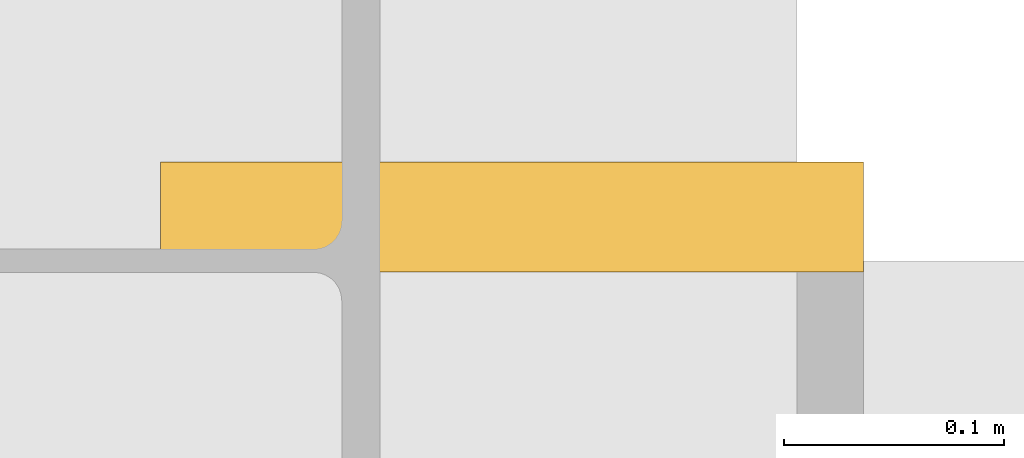
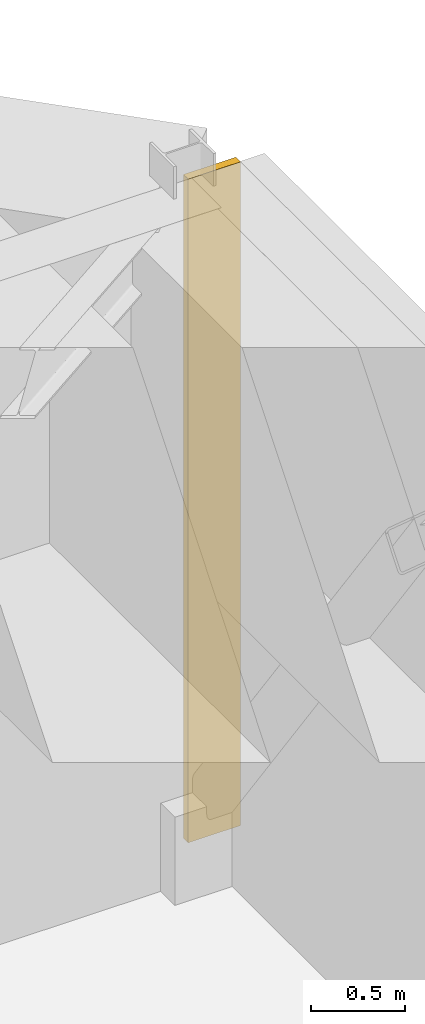
# One storey, part 17 of 17: 1 covering.
"""IFC4 building model written with IfcOpenShell, lengths in metres."""

import ifcopenshell
import ifcopenshell.guid

model = None  # the IFC model being written
_history = None  # IfcOwnerHistory: only IFC2X3 demands one
_inside = {}  # id of a spatial element -> (the spatial element, [elements in it])
_under = {}  # id of a project, library or spatial element -> (it, [spatial elements below it])
_declared = {}  # id of a project -> (the project, [libraries it declares])
_typed = {}  # id of a type object -> (the type object, [elements of that type])
_made_of = {}  # id of a material, layer set ... -> (it, [elements and type objects made of it])


def new_model(schema):
    """Start an empty IFC model of exactly this schema.

    Asked for "IFC4X3", IfcOpenShell would pick the latest addendum, in which some entities
    have other attributes; the version numbers below select the first issue.
    IFC2X3 requires an IfcOwnerHistory on every rooted entity: one is made here for all.
    """
    global model, _history
    if schema == "IFC4X3":
        model = ifcopenshell.file(schema_version=(4, 3, 0, 0))
    else:
        model = ifcopenshell.file(schema=schema)
    _inside.clear()
    _under.clear()
    _declared.clear()
    _typed.clear()
    _made_of.clear()
    _history = None
    if model.schema == "IFC2X3":
        org = make("IfcOrganization", Name="unknown")
        user = make(
            "IfcPersonAndOrganization",
            ThePerson=make("IfcPerson", FamilyName="unknown"),
            TheOrganization=org,
        )
        app = make(
            "IfcApplication",
            ApplicationDeveloper=org,
            Version="unknown",
            ApplicationFullName="unknown",
            ApplicationIdentifier="unknown",
        )
        _history = make(
            "IfcOwnerHistory",
            OwningUser=user,
            OwningApplication=app,
            ChangeAction="ADDED",
            CreationDate=0,
        )
    return model


def make(cls, **values):
    """One entity of the class cls with the attributes given. An attribute that is None is left unset."""
    return model.create_entity(
        cls, **{name: value for name, value in values.items() if value is not None}
    )


def rooted(cls, **values):
    """An entity with a GlobalId (a new one), such as an element, a storey or a relation."""
    return make(cls, GlobalId=ifcopenshell.guid.new(), OwnerHistory=_history, **values)


def si_unit(unit_type, name, prefix=None):
    """IfcSIUnit, for example si_unit("LENGTHUNIT", "METRE", prefix="MILLI")."""
    return make("IfcSIUnit", UnitType=unit_type, Prefix=prefix, Name=name)


def assignment(units):
    """IfcUnitAssignment: the units of a project."""
    return None if units is None else make("IfcUnitAssignment", Units=units)


def point(xyz):
    """IfcCartesianPoint."""
    return None if xyz is None else make("IfcCartesianPoint", Coordinates=xyz)


def direction(xyz):
    """IfcDirection."""
    return None if xyz is None else make("IfcDirection", DirectionRatios=xyz)


def frame(location, z_axis=None, x_axis=None):
    """IfcAxis2Placement3D, a coordinate frame: its origin and axes. An axis left out is left unset."""
    return make(
        "IfcAxis2Placement3D",
        Location=point(location),
        Axis=direction(z_axis),
        RefDirection=direction(x_axis),
    )


def frame_2d(location, x_axis=None):
    """IfcAxis2Placement2D, a coordinate frame in the plane: its origin and x axis."""
    return make(
        "IfcAxis2Placement2D", Location=point(location), RefDirection=direction(x_axis)
    )


def origin():
    """The frame at (0, 0, 0) with its axes left unset."""
    return frame((0.0, 0.0, 0.0))


def place(relative_to, where):
    """IfcLocalPlacement: puts the frame where relative to a parent placement (None: the world)."""
    return make(
        "IfcLocalPlacement", PlacementRelTo=relative_to, RelativePlacement=where
    )


def context(
    kind, dimensions, precision=None, world=None, true_north=None, identifier=None
):
    """IfcGeometricRepresentationContext, for example the 3D "Model" context."""
    return make(
        "IfcGeometricRepresentationContext",
        ContextIdentifier=identifier,
        ContextType=kind,
        CoordinateSpaceDimension=dimensions,
        Precision=precision,
        WorldCoordinateSystem=world,
        TrueNorth=true_north,
    )


def subcontext(parent, identifier, kind, view, scale=None):
    """IfcGeometricRepresentationSubContext, for example "Body" below "Model"."""
    return make(
        "IfcGeometricRepresentationSubContext",
        ContextIdentifier=identifier,
        ContextType=kind,
        ParentContext=parent,
        TargetScale=scale,
        TargetView=view,
    )


def project(units=None, contexts=None):
    """IfcProject with its units and contexts."""
    return rooted(
        "IfcProject",
        Name="project",
        RepresentationContexts=contexts,
        UnitsInContext=assignment(units),
    )


def spatial(cls, under=None, at=None, **own):
    """A site, building, storey or space (cls), placed at a placement, below another one or the project."""
    s = rooted(cls, ObjectPlacement=at, **own)
    if under is not None:
        _under.setdefault(under.id(), (under, []))[1].append(s)
    return s


def profile(cls, at=None, kind="AREA", **sizes):
    """A parametric profile (cls). Its sizes go by their IFC names, for example OverallWidth=200.0."""
    return make(cls, ProfileType=kind, Position=at, **sizes)


def rectangle(**sizes):
    """IfcRectangleProfileDef."""
    return profile("IfcRectangleProfileDef", **sizes)


def extrude(swept, where, along, depth):
    """IfcExtrudedAreaSolid: the profile swept, set in the frame where, extruded along a direction by depth."""
    return make(
        "IfcExtrudedAreaSolid",
        SweptArea=swept,
        Position=where,
        ExtrudedDirection=direction(along),
        Depth=depth,
    )


def shape(context_of_items, identifier, shape_type, items):
    """IfcShapeRepresentation: the items that make up one representation, for example the "Body"."""
    return make(
        "IfcShapeRepresentation",
        ContextOfItems=context_of_items,
        RepresentationIdentifier=identifier,
        RepresentationType=shape_type,
        Items=items,
    )


def material(Name=None, Category=None):
    """IfcMaterial."""
    return make("IfcMaterial", Name=Name, Category=Category)


def layer(
    of_material, thickness, ventilated=None, Name=None, Category=None, Priority=None
):
    """IfcMaterialLayer: one layer of a wall or slab, of a material (None: an air gap)."""
    return make(
        "IfcMaterialLayer",
        Material=of_material,
        LayerThickness=thickness,
        IsVentilated=ventilated,
        Name=Name,
        Category=Category,
        Priority=Priority,
    )


def layer_set(layers, Name=None):
    """IfcMaterialLayerSet."""
    return make("IfcMaterialLayerSet", MaterialLayers=layers, LayerSetName=Name)


def made_of(thing, what):
    """Note that an element or type object is made of a material, layer set ...; save() writes the relation."""
    if what is not None:
        _made_of.setdefault(what.id(), (what, []))[1].append(thing)
    return thing


def type_object(cls, material=None, **own):
    """A type object (cls), such as IfcWallType, which elements share."""
    return made_of(rooted(cls, **own), material)


def element(
    cls,
    number,
    at=None,
    inside=None,
    cuts=None,
    type_object=None,
    material=None,
    context=None,
    identifier="Body",
    shape_type=None,
    held_by="IfcProductDefinitionShape",
    body=None,
    shapes=None,
    **own,
):
    """One element of the class cls, such as IfcWall. Its Tag is "e" and its number.

    at: its placement. inside: the storey or other place that contains it. cuts: it is an
    opening in that element (IfcRelVoidsElement). A single representation is given by context,
    identifier, shape_type and body (its items); several are given by shapes. held_by: the class
    of the entity that holds the representations. save() writes the other relations.
    """
    e = rooted(cls, Tag="e%d" % number, ObjectPlacement=at, **own)
    if body is not None:
        shapes = [shape(context, identifier, shape_type, body)]
    if shapes is not None:
        e.Representation = make(held_by, Representations=shapes)
    if inside is not None:
        _inside.setdefault(inside.id(), (inside, []))[1].append(e)
    if cuts is not None:
        rooted(
            "IfcRelVoidsElement", RelatingBuildingElement=cuts, RelatedOpeningElement=e
        )
    if type_object is not None:
        _typed.setdefault(type_object.id(), (type_object, []))[1].append(e)
    return made_of(e, material)


def aggregate(whole, parts):
    """IfcRelAggregates: a whole, such as a stair, and the parts it consists of."""
    return rooted("IfcRelAggregates", RelatingObject=whole, RelatedObjects=parts)


def save(model, path):
    """Write the relations noted so far, then the file.

    IfcRelAggregates (storeys below a building ...), IfcRelContainedInSpatialStructure (elements
    in a storey), IfcRelDefinesByType, IfcRelAssociatesMaterial and IfcRelDeclares: one each for
    every whole, place, type object, material and project.
    """
    for whole, parts in _under.values():
        aggregate(whole, parts)
    for where, things in _inside.values():
        rooted(
            "IfcRelContainedInSpatialStructure",
            RelatedElements=things,
            RelatingStructure=where,
        )
    for kind, things in _typed.values():
        rooted("IfcRelDefinesByType", RelatedObjects=things, RelatingType=kind)
    for what, things in _made_of.values():
        rooted("IfcRelAssociatesMaterial", RelatedObjects=things, RelatingMaterial=what)
    for by, libraries in _declared.values():
        rooted("IfcRelDeclares", RelatingContext=by, RelatedDefinitions=libraries)
    model.write(path)


model = new_model("IFC4")

# Units and contexts
model_context = context("Model", 3, precision=1e-05, world=origin(), true_north=direction((0.0, 1.0)))
body_context = subcontext(model_context, "Body", "Model", "MODEL_VIEW")
ifc_project = project(units=[si_unit("LENGTHUNIT", "METRE"), si_unit("AREAUNIT", "SQUARE_METRE"), si_unit("VOLUMEUNIT", "CUBIC_METRE"), si_unit("PLANEANGLEUNIT", "RADIAN"), si_unit("MASSUNIT", "GRAM", prefix="KILO")], contexts=[model_context])

# Site, building, storey
site_placement = place(None, origin())
site = spatial("IfcSite", under=ifc_project, at=site_placement, CompositionType="ELEMENT")
building_placement = place(site_placement, origin())
building = spatial("IfcBuilding", under=site, at=building_placement, Name="Cairnveth Concourse Tower", CompositionType="ELEMENT")
storey_placement = place(building_placement, frame((0.0, 0.0, 276.0)))
storey = spatial("IfcBuildingStorey", under=building, at=storey_placement, Name="L76", CompositionType="ELEMENT", Elevation=276.0)

# Covering
ifc_material = material(Name="Dressed Melbourne Bluestone Cladding", Category="masonry")
ifc_layer = layer(ifc_material, 0.050048828125)
ifc_layer_set = layer_set([ifc_layer], Name="Dressed Melbourne Bluestone Cladding")
covering_type = type_object("IfcCoveringType", Name="DRESSED BLUESTONE PLINTH CLADDING 50", PredefinedType="CLADDING", material=ifc_layer_set)
covering_placement = place(storey_placement, frame((74.179931640625, 56.52001953125, 0.0), z_axis=(0.0, 0.0, 1.0), x_axis=(1.0, 0.0, 0.0)))
element("IfcCovering", 1, at=covering_placement, inside=storey, type_object=covering_type, Name="Melbourne Bluestone Corner Quoin L76-1159", PredefinedType="CLADDING", context=body_context, shape_type="SweptSolid", body=[
    extrude(rectangle(XDim=0.320068359375, YDim=0.050048828125, at=frame_2d((0.16015625, 0.0))), origin(), (0.0, 0.0, 1.0), 4.2900390625),
])

save(model, "model.ifc")
